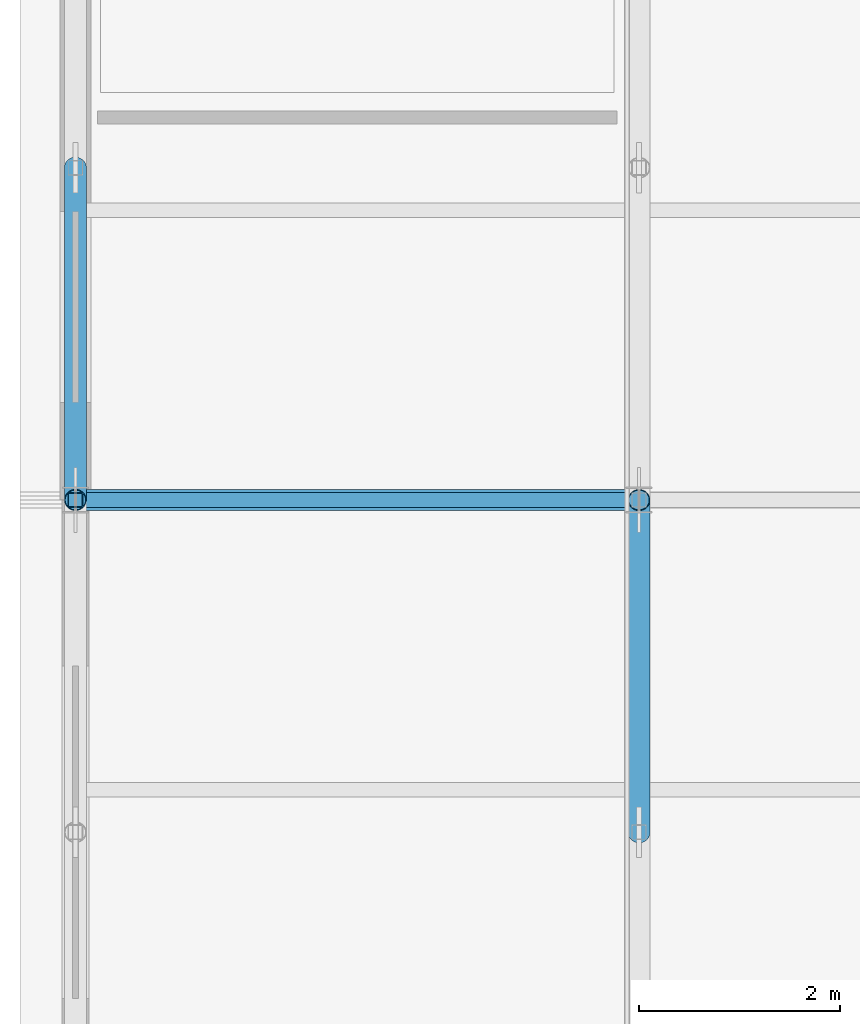
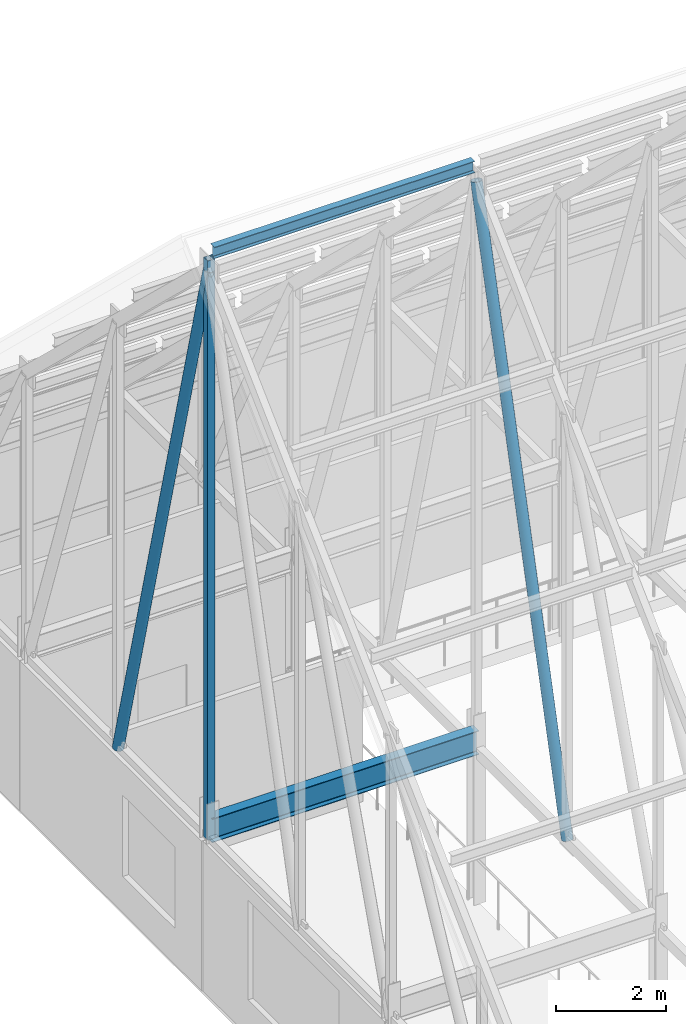
# One storey, part 27 of 144: 4 members, 1 beam.
"""IFC4 building model written with IfcOpenShell, lengths in metres."""

from ifc_helpers import new_model, si_unit, direction, frame, origin, origin_2d, place, context, subcontext, project, spatial, hollow_rectangle, hollow_circle, i_section, extrude, material, material_profile, profile_set, type_object, element, save


model = new_model("IFC4")

# Units and contexts
model_context = context("Model", 3, precision=1e-05, world=origin(), true_north=direction((0.0, 1.0)))
body_context = subcontext(model_context, "Body", "Model", "MODEL_VIEW")
ifc_project = project(units=[si_unit("LENGTHUNIT", "METRE"), si_unit("AREAUNIT", "SQUARE_METRE"), si_unit("VOLUMEUNIT", "CUBIC_METRE"), si_unit("PLANEANGLEUNIT", "RADIAN"), si_unit("MASSUNIT", "GRAM", prefix="KILO")], contexts=[model_context])

# Site, building, storey
site_placement = place(None, origin())
site = spatial("IfcSite", under=ifc_project, at=site_placement, CompositionType="ELEMENT")
building_placement = place(site_placement, origin())
building = spatial("IfcBuilding", under=site, at=building_placement, Name="Trelmorton Wharf Fire Station", CompositionType="ELEMENT")
storey_placement = place(building_placement, frame((0.0, 0.0, 5.39990234375)))
storey = spatial("IfcBuildingStorey", under=building, at=storey_placement, Name="L01", CompositionType="ELEMENT", Elevation=5.39990234375)

# Beam
ifc_material_1 = material(Name="Steel Grade 350", Category="steel")
ifc_material_profile_1 = material_profile(ifc_material_1, i_section(OverallWidth=0.208984375, OverallDepth=0.528076171875, WebThickness=0.009521484375, FlangeThickness=0.01318359375, FilletRadius=0.013916015625, at=origin_2d()), Name="530UB82.0")
ifc_profile_set_1 = profile_set([ifc_material_profile_1], Name="Steel Grade 350")
beam_type = type_object("IfcBeamType", Name="BM_530UB82", PredefinedType="BEAM", material=ifc_profile_set_1)
beam_placement = place(storey_placement, frame((0.803955078125, 21.0, 3.55615234375), z_axis=(1.0, 0.0, 0.0), x_axis=(0.0, 1.0, 0.0)))
element("IfcBeam", 1, at=beam_placement, inside=storey, type_object=beam_type, Name="BM-L01-0436", PredefinedType="BEAM", context=body_context, shape_type="SweptSolid", body=[
    extrude(i_section(OverallWidth=0.208984375, OverallDepth=0.528076171875, WebThickness=0.009521484375, FlangeThickness=0.01318359375, FilletRadius=0.013916015625, at=origin_2d()), origin(), (0.0, 0.0, 1.0), 5.592041015625),
])

# Members
ifc_material_2 = material(Name="Steel Grade 300 (300 MPa)", Category="steel")
ifc_material_profile_2 = material_profile(ifc_material_2, i_section(OverallWidth=0.14599609375, OverallDepth=0.256103515625, WebThickness=0.00634765625, FlangeThickness=0.010986328125, FilletRadius=0.0087890625, at=origin_2d()), Name="250UB37.3")
ifc_profile_set_2 = profile_set([ifc_material_profile_2], Name="Steel Grade 300 (300 MPa)")
member_type_1 = type_object("IfcMemberType", Name="PR_250UB37", PredefinedType="PURLIN", material=ifc_profile_set_2)
member_1_placement = place(storey_placement, frame((0.8720703125, 21.0, 16.311767578125), z_axis=(1.0, 0.0, 0.0), x_axis=(0.0, 1.0, 0.0)))
element("IfcMember", 2, at=member_1_placement, inside=storey, type_object=member_type_1, Name="V1-PR-B01-S5", PredefinedType="PURLIN", context=body_context, shape_type="SweptSolid", body=[
    extrude(i_section(OverallWidth=0.14599609375, OverallDepth=0.256103515625, WebThickness=0.00634765625, FlangeThickness=0.010986328125, FilletRadius=0.0087890625, at=origin_2d()), origin(), (0.0, 0.0, 1.0), 5.455810546875),
])
ifc_material_3 = material(Name="Steel C350L0 (350 MPa)", Category="steel")
ifc_material_profile_3 = material_profile(ifc_material_3, hollow_circle(Radius=0.109619140625, WallThickness=0.00830078125, at=origin_2d()), Name="219.1x8.2CHS")
ifc_profile_set_3 = profile_set([ifc_material_profile_3], Name="Steel C350L0 (350 MPa)")
member_type_2 = type_object("IfcMemberType", Name="TR_DIAG_219CHS", PredefinedType="STRUT", material=ifc_profile_set_3)
for number, where, z_axis, x_axis, name in (
    (3, (0.800048828125, 24.300048828125, 3.351806640625), (0.0, -0.25336106238, 0.967371785856), (1.0, 0.0, 0.0), "V1-TR01-DG-N3"),
    (4, (6.39990234375, 17.699951171875, 3.351806640625), (0.0, 0.25336106238, 0.967371785856), (-1.0, 0.0, 0.0), "V1-TR02-DG-S3"),
):
    element("IfcMember", number, at=place(storey_placement, frame(where, z_axis=z_axis, x_axis=x_axis)), inside=storey, type_object=member_type_2, Name=name, PredefinedType="STRUT", context=body_context, shape_type="SweptSolid", body=[
        extrude(hollow_circle(Radius=0.109619140625, WallThickness=0.00830078125, at=origin_2d()), origin(), (0.0, 0.0, 1.0), 13.025146484375),
    ])
ifc_material_profile_4 = material_profile(ifc_material_3, hollow_rectangle(XDim=0.14990234375, YDim=0.14990234375, WallThickness=0.009033203125, at=origin_2d()), Name="150x150x9.0SHS")
ifc_profile_set_4 = profile_set([ifc_material_profile_4], Name="Steel C350L0 (350 MPa)")
member_type_3 = type_object("IfcMemberType", Name="TR_POST_150SHS", PredefinedType="POST", material=ifc_profile_set_4)
member_2_placement = place(storey_placement, frame((0.800048828125, 21.0, 3.351806640625), z_axis=(0.0, 0.0, 1.0), x_axis=(1.0, 0.0, 0.0)))
element("IfcMember", 5, at=member_2_placement, inside=storey, type_object=member_type_3, Name="V1-TR01-KP", PredefinedType="POST", context=body_context, shape_type="SweptSolid", body=[
    extrude(hollow_rectangle(XDim=0.14990234375, YDim=0.14990234375, WallThickness=0.009033203125, at=origin_2d()), origin(), (0.0, 0.0, 1.0), 12.8359375),
])

save(model, "model.ifc")
